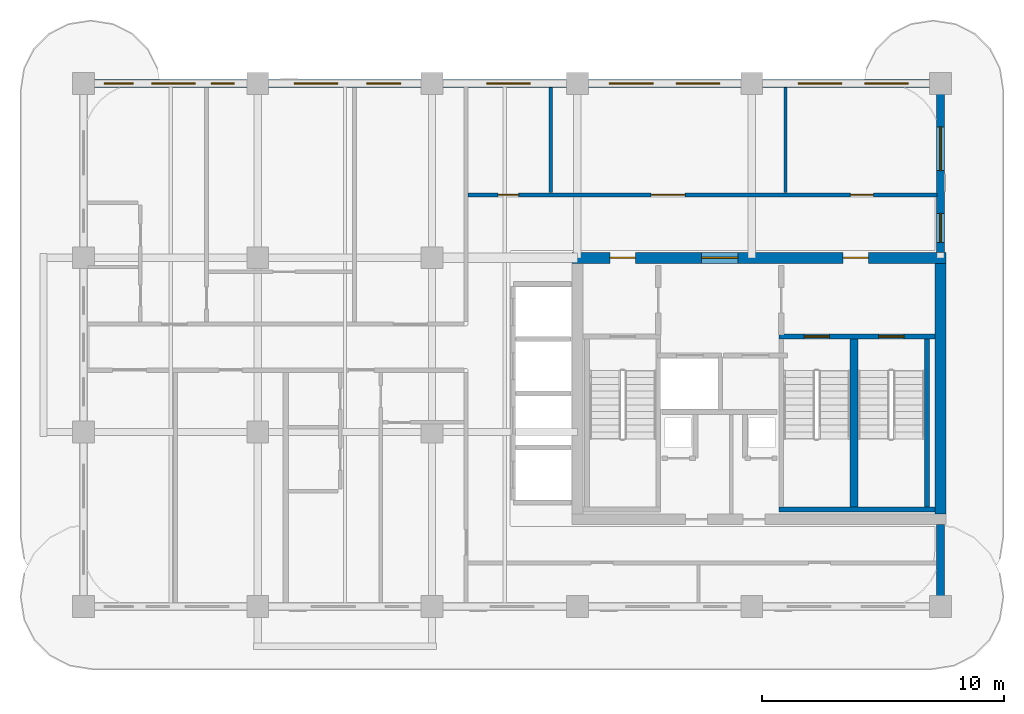
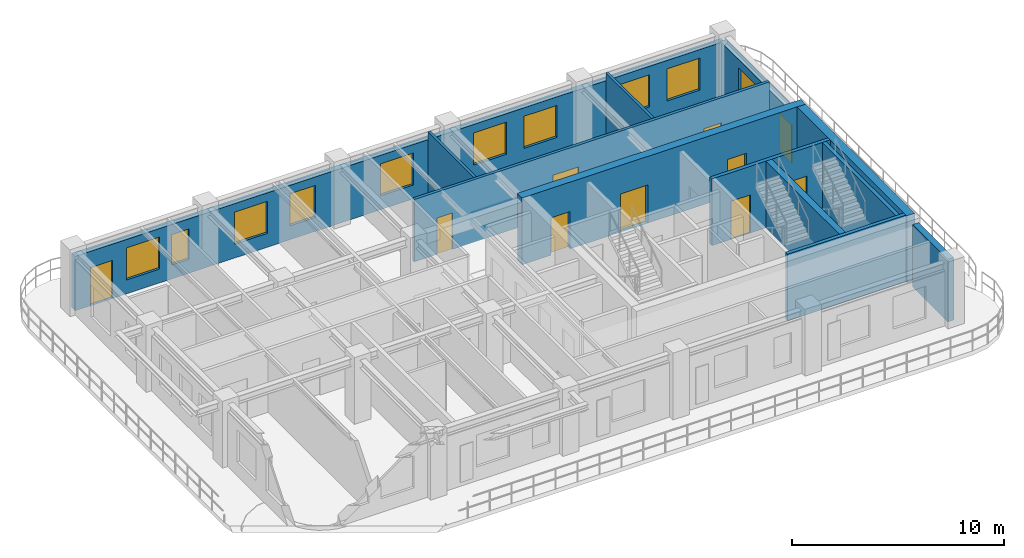
# One storey, part 5 of 8: 12 walls, 10 doors, 10 windows, 20 openings.
"""IFC4 building model written with IfcOpenShell, lengths in metres."""

from ifc_helpers import new_model, si_unit, derived_unit, direction, frame, frame_2d, origin, place, context, subcontext, project, spatial, rectangle, extrude, source, transform, mapped, material, layer, layer_set, type_object, type_shapes, element, fill, save


model = new_model("IFC4")

# Units and contexts
model_context = context("Model", 3, precision=1e-05, world=origin(), true_north=direction((0.0, 1.0)))
body_context = subcontext(model_context, "Body", "Model", "MODEL_VIEW")
ifc_project = project(units=[si_unit("LENGTHUNIT", "METRE"), si_unit("AREAUNIT", "SQUARE_METRE"), si_unit("VOLUMEUNIT", "CUBIC_METRE"), si_unit("PLANEANGLEUNIT", "RADIAN"), si_unit("MASSUNIT", "GRAM", prefix="KILO"), si_unit("THERMODYNAMICTEMPERATUREUNIT", "KELVIN"), si_unit("POWERUNIT", "WATT"), derived_unit("THERMALTRANSMITTANCEUNIT", [(si_unit("POWERUNIT", "WATT"), 1), (si_unit("AREAUNIT", "SQUARE_METRE"), -1), (si_unit("THERMODYNAMICTEMPERATUREUNIT", "KELVIN"), -1)])], contexts=[model_context])

# Site, building, storey
site_placement = place(None, origin())
site = spatial("IfcSite", under=ifc_project, at=site_placement, CompositionType="ELEMENT")
building_placement = place(site_placement, origin())
building = spatial("IfcBuilding", under=site, at=building_placement, Name="Zahravan Archway Hotel and Residences", CompositionType="ELEMENT")
storey_placement = place(building_placement, frame((0.0, 0.0, 225.0)))
storey = spatial("IfcBuildingStorey", under=building, at=storey_placement, Name="L56", CompositionType="ELEMENT", Elevation=225.0)

# Wall, openings, doors
ifc_material_1 = material(Name="Concrete C50/60", Category="concrete")
ifc_layer_1 = layer(ifc_material_1, 0.449951171875, Name="Concrete C50/60", Category="concrete")
ifc_layer_set_1 = layer_set([ifc_layer_1], Name="Concrete C50/60")
wall_type_1 = type_object("IfcWallType", Name="CW-CORE-450", PredefinedType="SHEAR", material=ifc_layer_set_1)
wall_1_placement = place(storey_placement, frame((34.574951171875, 14.39990234375, 0.0), z_axis=(0.0, 0.0, 1.0), x_axis=(1.0, 0.0, 0.0)))
wall_1 = element("IfcWall", 1, at=wall_1_placement, inside=storey, type_object=wall_type_1, Name="L56 Core A Shear N Wall 450 mm", PredefinedType="SHEAR", context=body_context, shape_type="SweptSolid", body=[
    extrude(rectangle(XDim=15.449951171875, YDim=0.449951171875, at=frame_2d((7.72509765625, 0.0))), origin(), (0.0, 0.0, 1.0), 3.85009765625),
])
opening_1_placement = place(wall_1_placement, frame((5.35498046875, 0.0, 0.0)))
opening_1 = element("IfcOpeningElement", 2, at=opening_1_placement, cuts=wall_1, Name="Opening FD-L1", PredefinedType="OPENING", context=body_context, shape_type="SweptSolid", body=[
    extrude(rectangle(XDim=1.5, YDim=2.199951171875, at=frame_2d((0.75, 1.10009765625))), frame((0.0, 0.23486328125, 0.0), z_axis=(0.0, -1.0, 0.0), x_axis=(1.0, 0.0, 0.0)), (0.0, 0.0, 1.0), 0.469970703125),
])
opening_2_placement = place(wall_1_placement, frame((1.570068359375, 0.0, 0.0)))
opening_2 = element("IfcOpeningElement", 3, at=opening_2_placement, cuts=wall_1, Name="Opening FD-L2", PredefinedType="OPENING", context=body_context, shape_type="SweptSolid", body=[
    extrude(rectangle(XDim=1.050048828125, YDim=2.14990234375, at=frame_2d((0.52490234375, 1.074951171875))), frame((0.0, 0.23486328125, 0.0), z_axis=(0.0, -1.0, 0.0), x_axis=(1.0, 0.0, 0.0)), (0.0, 0.0, 1.0), 0.469970703125),
])
opening_3_placement = place(wall_1_placement, frame((11.199951171875, 0.0, 0.0)))
opening_3 = element("IfcOpeningElement", 4, at=opening_3_placement, cuts=wall_1, Name="Opening FD-L2", PredefinedType="OPENING", context=body_context, shape_type="SweptSolid", body=[
    extrude(rectangle(XDim=1.050048828125, YDim=2.14990234375, at=frame_2d((0.52490234375, 1.074951171875))), frame((0.0, 0.23486328125, 0.0), z_axis=(0.0, -1.0, 0.0), x_axis=(1.0, 0.0, 0.0)), (0.0, 0.0, 1.0), 0.469970703125),
])
ifc_material_2 = material(Name="Fire-Rated Painted Steel", Category="steel")
door_type_1 = type_object("IfcDoorType", Name="FD-LOBBY-1100", OperationType="NOTDEFINED", PredefinedType="DOOR", material=ifc_material_2)
shared_shape_1 = source(origin(), body_context, "Body", "SweptSolid", [
    extrude(rectangle(XDim=1.050048828125, YDim=2.14990234375, at=frame_2d((0.52490234375, 1.074951171875))), frame((0.0, 0.02490234375, 0.0), z_axis=(0.0, -1.0, 0.0), x_axis=(1.0, 0.0, 0.0)), (0.0, 0.0, 1.0), 0.050048828125),
])
type_shapes(door_type_1, [shared_shape_1])
door_1_placement = place(opening_2_placement, origin())
door_1 = element("IfcDoor", 5, at=door_1_placement, inside=storey, type_object=door_type_1, Name="L56 Core A West Stair Lobby Door", OperationType="SINGLE_SWING_RIGHT", OverallHeight=2.14990234375, OverallWidth=1.050048828125, PredefinedType="DOOR", context=body_context, shape_type="MappedRepresentation", body=[
    mapped(shared_shape_1, transform((0.0, 0.0, 0.0), scale=1.0)),
])
fill(opening_2, door_1)
door_2_placement = place(opening_3_placement, origin())
door_2 = element("IfcDoor", 6, at=door_2_placement, inside=storey, type_object=door_type_1, Name="L56 Core A East Stair Lobby Door", OperationType="SINGLE_SWING_LEFT", OverallHeight=2.14990234375, OverallWidth=1.050048828125, PredefinedType="DOOR", context=body_context, shape_type="MappedRepresentation", body=[
    mapped(shared_shape_1, transform((0.0, 0.0, 0.0), scale=1.0)),
])
fill(opening_3, door_2)
door_type_2 = type_object("IfcDoorType", Name="FD-LOBBY-1500", OperationType="DOUBLE_DOOR_SINGLE_SWING", PredefinedType="DOOR", material=ifc_material_2)
shared_shape_2 = source(origin(), body_context, "Body", "SweptSolid", [
    extrude(rectangle(XDim=1.5, YDim=2.199951171875, at=frame_2d((0.75, 1.10009765625))), frame((0.0, 0.02490234375, 0.0), z_axis=(0.0, -1.0, 0.0), x_axis=(1.0, 0.0, 0.0)), (0.0, 0.0, 1.0), 0.050048828125),
])
type_shapes(door_type_2, [shared_shape_2])
door_3_placement = place(opening_1_placement, origin())
door_3 = element("IfcDoor", 7, at=door_3_placement, inside=storey, type_object=door_type_2, Name="L56 Core A FSAE Lobby Main Door", OperationType="DOUBLE_DOOR_SINGLE_SWING", OverallHeight=2.199951171875, OverallWidth=1.5, PredefinedType="DOOR", context=body_context, shape_type="MappedRepresentation", body=[
    mapped(shared_shape_2, transform((0.0, 0.0, 0.0), scale=1.0)),
])
fill(opening_1, door_3)

# Walls
wall_2_placement = place(storey_placement, frame((49.800048828125, 3.824951171875, 0.0), z_axis=(0.0, 0.0, 1.0), x_axis=(0.0, 1.0, 0.0)))
element("IfcWall", 8, at=wall_2_placement, inside=storey, type_object=wall_type_1, Name="L56 Core A Shear E Wall 450 mm", PredefinedType="SHEAR", context=body_context, shape_type="SweptSolid", body=[
    extrude(rectangle(XDim=10.35009765625, YDim=0.449951171875, at=frame_2d((5.175048828125, 0.0))), origin(), (0.0, 0.0, 1.0), 3.85009765625),
])
ifc_material_3 = material(Name="Agra Buff Sandstone & Insulated Backup", Category="masonry")
ifc_layer_2 = layer(ifc_material_3, 0.320068359375, Name="Agra Buff Sandstone & Insulated Backup", Category="masonry")
ifc_layer_set_2 = layer_set([ifc_layer_2], Name="Agra Buff Sandstone & Insulated Backup")
wall_type_2 = type_object("IfcWallType", Name="EW-SAND-320", PredefinedType="SOLIDWALL", material=ifc_layer_set_2)
wall_3_placement = place(storey_placement, frame((49.800048828125, 0.050048828125, 0.0), z_axis=(0.0, 0.0, 1.0), x_axis=(0.0, 1.0, 0.0)))
element("IfcWall", 9, at=wall_3_placement, inside=storey, type_object=wall_type_2, Name="L56 Exterior Sandstone Wall WA-ES", PredefinedType="SOLIDWALL", context=body_context, shape_type="SweptSolid", body=[
    extrude(rectangle(XDim=3.329833984375, YDim=0.320068359375, at=frame_2d((1.6650390625, 0.0))), origin(), (0.0, 0.0, 1.0), 3.60009765625),
])

# Wall, openings, door, window
wall_4_placement = place(storey_placement, frame((49.800048828125, 14.6201171875, 0.0), z_axis=(0.0, 0.0, 1.0), x_axis=(0.0, 1.0, 0.0)))
wall_4 = element("IfcWall", 10, at=wall_4_placement, inside=storey, type_object=wall_type_2, Name="L56 Exterior Sandstone Wall WA-EN", PredefinedType="SOLIDWALL", context=body_context, shape_type="SweptSolid", body=[
    extrude(rectangle(XDim=6.929931640625, YDim=0.320068359375, at=frame_2d((3.46484375, 0.0))), origin(), (0.0, 0.0, 1.0), 3.135009765625),
])
opening_4_placement = place(wall_4_placement, frame((0.419921875, 0.0, 0.0)))
opening_4 = element("IfcOpeningElement", 11, at=opening_4_placement, cuts=wall_4, Name="Opening ED-BL1", PredefinedType="OPENING", context=body_context, shape_type="SweptSolid", body=[
    extrude(rectangle(XDim=1.199951171875, YDim=2.199951171875, at=frame_2d((0.60009765625, 1.10009765625))), frame((0.0, 0.169921875, 0.0), z_axis=(0.0, -1.0, 0.0), x_axis=(1.0, 0.0, 0.0)), (0.0, 0.0, 1.0), 0.340087890625),
])
opening_5_placement = place(wall_4_placement, frame((3.384033203125, 0.0, 0.800048828125)))
opening_5 = element("IfcOpeningElement", 12, at=opening_5_placement, cuts=wall_4, Name="Opening W-02", PredefinedType="OPENING", context=body_context, shape_type="SweptSolid", body=[
    extrude(rectangle(XDim=1.800048828125, YDim=1.85009765625, at=frame_2d((0.89990234375, 0.925048828125))), frame((0.0, 0.169921875, 0.0), z_axis=(0.0, -1.0, 0.0), x_axis=(1.0, 0.0, 0.0)), (0.0, 0.0, 1.0), 0.340087890625),
])
ifc_material_4 = material(Name="Bronze-Anodized Glazed Aluminium", Category="aluminium")
door_type_3 = type_object("IfcDoorType", Name="ED-BALC-1200", OperationType="SLIDING_TO_LEFT", PredefinedType="DOOR", material=ifc_material_4)
shared_shape_3 = source(origin(), body_context, "Body", "SweptSolid", [
    extrude(rectangle(XDim=1.199951171875, YDim=2.199951171875, at=frame_2d((0.60009765625, 1.10009765625))), frame((0.0, 0.02490234375, 0.0), z_axis=(0.0, -1.0, 0.0), x_axis=(1.0, 0.0, 0.0)), (0.0, 0.0, 1.0), 0.050048828125),
])
type_shapes(door_type_3, [shared_shape_3])
door_4_placement = place(opening_4_placement, origin())
door_4 = element("IfcDoor", 13, at=door_4_placement, inside=storey, type_object=door_type_3, Name="L56 Outdoor Access Sliding Door (SLB-BAL-L56-EA)", OperationType="SLIDING_TO_LEFT", OverallHeight=2.199951171875, OverallWidth=1.199951171875, PredefinedType="DOOR", context=body_context, shape_type="MappedRepresentation", body=[
    mapped(shared_shape_3, transform((0.0, 0.0, 0.0), scale=1.0)),
])
fill(opening_4, door_4)
ifc_material_5 = material(Name="Bronze-Anodized Thermal-Break Aluminium & Low-E Glass", Category="aluminium")
window_type_1 = type_object("IfcWindowType", Name="WIN-TWR-1800", PartitioningType="DOUBLE_PANEL_VERTICAL", PredefinedType="WINDOW", material=ifc_material_5)
shared_shape_4 = source(origin(), body_context, "Body", "SweptSolid", [
    extrude(rectangle(XDim=1.800048828125, YDim=1.85009765625, at=frame_2d((0.89990234375, 0.925048828125))), frame((0.0, 0.030029296875, 0.0), z_axis=(0.0, -1.0, 0.0), x_axis=(1.0, 0.0, 0.0)), (0.0, 0.0, 1.0), 0.06005859375),
])
type_shapes(window_type_1, [shared_shape_4])
window_1_placement = place(opening_5_placement, origin())
window_1 = element("IfcWindow", 14, at=window_1_placement, inside=storey, type_object=window_type_1, Name="L56 Loggia Window 10", OverallHeight=1.85009765625, OverallWidth=1.800048828125, PartitioningType="DOUBLE_PANEL_VERTICAL", PredefinedType="WINDOW", context=body_context, shape_type="MappedRepresentation", body=[
    mapped(shared_shape_4, transform((0.0, 0.0, 0.0), scale=1.0)),
])
fill(opening_5, window_1)

# Wall, openings, door, windows
wall_5_placement = place(storey_placement, frame((14.39990234375, 21.60009765625, 0.0), z_axis=(0.0, 0.0, 1.0), x_axis=(1.0, 0.0, 0.0)))
wall_5 = element("IfcWall", 15, at=wall_5_placement, inside=storey, type_object=wall_type_2, Name="L56 Exterior Sandstone Wall WA-N", PredefinedType="SOLIDWALL", context=body_context, shape_type="SweptSolid", body=[
    extrude(rectangle(XDim=35.400146484375, YDim=0.320068359375, at=frame_2d((17.7001953125, 0.0))), origin(), (0.0, 0.0, 1.0), 3.135009765625),
])
opening_6_placement = place(wall_5_placement, frame((0.85009765625, 0.0, 0.0)))
opening_6 = element("IfcOpeningElement", 16, at=opening_6_placement, cuts=wall_5, Name="Opening ED-BL1", PredefinedType="OPENING", context=body_context, shape_type="SweptSolid", body=[
    extrude(rectangle(XDim=1.199951171875, YDim=2.199951171875, at=frame_2d((0.60009765625, 1.10009765625))), frame((0.0, 0.169921875, 0.0), z_axis=(0.0, -1.0, 0.0), x_axis=(1.0, 0.0, 0.0)), (0.0, 0.0, 1.0), 0.340087890625),
])
opening_7_placement = place(wall_5_placement, frame((2.81103515625, 0.0, 0.800048828125)))
opening_7 = element("IfcOpeningElement", 17, at=opening_7_placement, cuts=wall_5, Name="Opening W-02", PredefinedType="OPENING", context=body_context, shape_type="SweptSolid", body=[
    extrude(rectangle(XDim=1.800048828125, YDim=1.85009765625, at=frame_2d((0.89990234375, 0.925048828125))), frame((0.0, 0.169921875, 0.0), z_axis=(0.0, -1.0, 0.0), x_axis=(1.0, 0.0, 0.0)), (0.0, 0.0, 1.0), 0.340087890625),
])
opening_8_placement = place(wall_5_placement, frame((5.26904296875, 0.0, 0.800048828125)))
opening_8 = element("IfcOpeningElement", 18, at=opening_8_placement, cuts=wall_5, Name="Opening W-04", PredefinedType="OPENING", context=body_context, shape_type="SweptSolid", body=[
    extrude(rectangle(XDim=0.949951171875, YDim=1.75, at=frame_2d((0.47509765625, 0.875))), frame((0.0, 0.169921875, 0.0), z_axis=(0.0, -1.0, 0.0), x_axis=(1.0, 0.0, 0.0)), (0.0, 0.0, 1.0), 0.340087890625),
])
opening_9_placement = place(wall_5_placement, frame((8.696044921875, 0.0, 0.800048828125)))
opening_9 = element("IfcOpeningElement", 19, at=opening_9_placement, cuts=wall_5, Name="Opening W-02", PredefinedType="OPENING", context=body_context, shape_type="SweptSolid", body=[
    extrude(rectangle(XDim=1.800048828125, YDim=1.85009765625, at=frame_2d((0.89990234375, 0.925048828125))), frame((0.0, 0.169921875, 0.0), z_axis=(0.0, -1.0, 0.0), x_axis=(1.0, 0.0, 0.0)), (0.0, 0.0, 1.0), 0.340087890625),
])
opening_10_placement = place(wall_5_placement, frame((11.7041015625, 0.0, 0.800048828125)))
opening_10 = element("IfcOpeningElement", 20, at=opening_10_placement, cuts=wall_5, Name="Opening W-03", PredefinedType="OPENING", context=body_context, shape_type="SweptSolid", body=[
    extrude(rectangle(XDim=1.39990234375, YDim=1.85009765625, at=frame_2d((0.699951171875, 0.925048828125))), frame((0.0, 0.169921875, 0.0), z_axis=(0.0, -1.0, 0.0), x_axis=(1.0, 0.0, 0.0)), (0.0, 0.0, 1.0), 0.340087890625),
])
opening_11_placement = place(wall_5_placement, frame((16.65087890625, 0.0, 0.800048828125)))
opening_11 = element("IfcOpeningElement", 21, at=opening_11_placement, cuts=wall_5, Name="Opening W-02", PredefinedType="OPENING", context=body_context, shape_type="SweptSolid", body=[
    extrude(rectangle(XDim=1.800048828125, YDim=1.85009765625, at=frame_2d((0.89990234375, 0.925048828125))), frame((0.0, 0.169921875, 0.0), z_axis=(0.0, -1.0, 0.0), x_axis=(1.0, 0.0, 0.0)), (0.0, 0.0, 1.0), 0.340087890625),
])
opening_12_placement = place(wall_5_placement, frame((21.72509765625, 0.0, 0.800048828125)))
opening_12 = element("IfcOpeningElement", 22, at=opening_12_placement, cuts=wall_5, Name="Opening W-02", PredefinedType="OPENING", context=body_context, shape_type="SweptSolid", body=[
    extrude(rectangle(XDim=1.800048828125, YDim=1.85009765625, at=frame_2d((0.89990234375, 0.925048828125))), frame((0.0, 0.169921875, 0.0), z_axis=(0.0, -1.0, 0.0), x_axis=(1.0, 0.0, 0.0)), (0.0, 0.0, 1.0), 0.340087890625),
])
opening_13_placement = place(wall_5_placement, frame((24.47509765625, 0.0, 0.800048828125)))
opening_13 = element("IfcOpeningElement", 23, at=opening_13_placement, cuts=wall_5, Name="Opening W-02", PredefinedType="OPENING", context=body_context, shape_type="SweptSolid", body=[
    extrude(rectangle(XDim=1.800048828125, YDim=1.85009765625, at=frame_2d((0.89990234375, 0.925048828125))), frame((0.0, 0.169921875, 0.0), z_axis=(0.0, -1.0, 0.0), x_axis=(1.0, 0.0, 0.0)), (0.0, 0.0, 1.0), 0.340087890625),
])
opening_14_placement = place(wall_5_placement, frame((29.531005859375, 0.0, 0.800048828125)))
opening_14 = element("IfcOpeningElement", 24, at=opening_14_placement, cuts=wall_5, Name="Opening W-02", PredefinedType="OPENING", context=body_context, shape_type="SweptSolid", body=[
    extrude(rectangle(XDim=1.800048828125, YDim=1.85009765625, at=frame_2d((0.89990234375, 0.925048828125))), frame((0.0, 0.169921875, 0.0), z_axis=(0.0, -1.0, 0.0), x_axis=(1.0, 0.0, 0.0)), (0.0, 0.0, 1.0), 0.340087890625),
])
opening_15_placement = place(wall_5_placement, frame((32.277099609375, 0.0, 0.800048828125)))
opening_15 = element("IfcOpeningElement", 25, at=opening_15_placement, cuts=wall_5, Name="Opening W-02", PredefinedType="OPENING", context=body_context, shape_type="SweptSolid", body=[
    extrude(rectangle(XDim=1.800048828125, YDim=1.85009765625, at=frame_2d((0.89990234375, 0.925048828125))), frame((0.0, 0.169921875, 0.0), z_axis=(0.0, -1.0, 0.0), x_axis=(1.0, 0.0, 0.0)), (0.0, 0.0, 1.0), 0.340087890625),
])
door_5_placement = place(opening_6_placement, origin())
door_5 = element("IfcDoor", 26, at=door_5_placement, inside=storey, type_object=door_type_3, Name="L56 Outdoor Access Sliding Door (SLB-BAL-L56-WA)", OperationType="SLIDING_TO_LEFT", OverallHeight=2.199951171875, OverallWidth=1.199951171875, PredefinedType="DOOR", context=body_context, shape_type="MappedRepresentation", body=[
    mapped(shared_shape_3, transform((0.0, 0.0, 0.0), scale=1.0)),
])
fill(opening_6, door_5)
window_type_2 = type_object("IfcWindowType", Name="WIN-TWR-1400", PartitioningType="SINGLE_PANEL", PredefinedType="WINDOW", material=ifc_material_5)
shared_shape_5 = source(origin(), body_context, "Body", "SweptSolid", [
    extrude(rectangle(XDim=1.39990234375, YDim=1.85009765625, at=frame_2d((0.699951171875, 0.925048828125))), frame((0.0, 0.030029296875, 0.0), z_axis=(0.0, -1.0, 0.0), x_axis=(1.0, 0.0, 0.0)), (0.0, 0.0, 1.0), 0.06005859375),
])
type_shapes(window_type_2, [shared_shape_5])
window_2_placement = place(opening_10_placement, origin())
window_2 = element("IfcWindow", 27, at=window_2_placement, inside=storey, type_object=window_type_2, Name="L56 Loggia Window 14", OverallHeight=1.85009765625, OverallWidth=1.39990234375, PartitioningType="SINGLE_PANEL", PredefinedType="WINDOW", context=body_context, shape_type="MappedRepresentation", body=[
    mapped(shared_shape_5, transform((0.0, 0.0, 0.0), scale=1.0)),
])
fill(opening_10, window_2)
window_type_3 = type_object("IfcWindowType", Name="WIN-NAR-950", PartitioningType="SINGLE_PANEL", PredefinedType="WINDOW", material=ifc_material_5)
shared_shape_6 = source(origin(), body_context, "Body", "SweptSolid", [
    extrude(rectangle(XDim=0.949951171875, YDim=1.75, at=frame_2d((0.47509765625, 0.875))), frame((0.0, 0.030029296875, 0.0), z_axis=(0.0, -1.0, 0.0), x_axis=(1.0, 0.0, 0.0)), (0.0, 0.0, 1.0), 0.06005859375),
])
type_shapes(window_type_3, [shared_shape_6])
window_3_placement = place(opening_8_placement, origin())
window_3 = element("IfcWindow", 28, at=window_3_placement, inside=storey, type_object=window_type_3, Name="L56 Loggia Window 12", OverallHeight=1.75, OverallWidth=0.949951171875, PartitioningType="SINGLE_PANEL", PredefinedType="WINDOW", context=body_context, shape_type="MappedRepresentation", body=[
    mapped(shared_shape_6, transform((0.0, 0.0, 0.0), scale=1.0)),
])
fill(opening_8, window_3)
window_4_placement = place(opening_7_placement, origin())
window_4 = element("IfcWindow", 29, at=window_4_placement, inside=storey, type_object=window_type_1, Name="L56 Loggia Window 11", OverallHeight=1.85009765625, OverallWidth=1.800048828125, PartitioningType="DOUBLE_PANEL_VERTICAL", PredefinedType="WINDOW", context=body_context, shape_type="MappedRepresentation", body=[
    mapped(shared_shape_4, transform((0.0, 0.0, 0.0), scale=1.0)),
])
fill(opening_7, window_4)
window_5_placement = place(opening_9_placement, origin())
window_5 = element("IfcWindow", 30, at=window_5_placement, inside=storey, type_object=window_type_1, Name="L56 Loggia Window 13", OverallHeight=1.85009765625, OverallWidth=1.800048828125, PartitioningType="DOUBLE_PANEL_VERTICAL", PredefinedType="WINDOW", context=body_context, shape_type="MappedRepresentation", body=[
    mapped(shared_shape_4, transform((0.0, 0.0, 0.0), scale=1.0)),
])
fill(opening_9, window_5)
window_6_placement = place(opening_11_placement, origin())
window_6 = element("IfcWindow", 31, at=window_6_placement, inside=storey, type_object=window_type_1, Name="L56 Loggia Window 15", OverallHeight=1.85009765625, OverallWidth=1.800048828125, PartitioningType="DOUBLE_PANEL_VERTICAL", PredefinedType="WINDOW", context=body_context, shape_type="MappedRepresentation", body=[
    mapped(shared_shape_4, transform((0.0, 0.0, 0.0), scale=1.0)),
])
fill(opening_11, window_6)
window_7_placement = place(opening_12_placement, origin())
window_7 = element("IfcWindow", 32, at=window_7_placement, inside=storey, type_object=window_type_1, Name="L56 Loggia Window 16", OverallHeight=1.85009765625, OverallWidth=1.800048828125, PartitioningType="DOUBLE_PANEL_VERTICAL", PredefinedType="WINDOW", context=body_context, shape_type="MappedRepresentation", body=[
    mapped(shared_shape_4, transform((0.0, 0.0, 0.0), scale=1.0)),
])
fill(opening_12, window_7)
window_8_placement = place(opening_13_placement, origin())
window_8 = element("IfcWindow", 33, at=window_8_placement, inside=storey, type_object=window_type_1, Name="L56 Loggia Window 17", OverallHeight=1.85009765625, OverallWidth=1.800048828125, PartitioningType="DOUBLE_PANEL_VERTICAL", PredefinedType="WINDOW", context=body_context, shape_type="MappedRepresentation", body=[
    mapped(shared_shape_4, transform((0.0, 0.0, 0.0), scale=1.0)),
])
fill(opening_13, window_8)
window_9_placement = place(opening_14_placement, origin())
window_9 = element("IfcWindow", 34, at=window_9_placement, inside=storey, type_object=window_type_1, Name="L56 Loggia Window 18", OverallHeight=1.85009765625, OverallWidth=1.800048828125, PartitioningType="DOUBLE_PANEL_VERTICAL", PredefinedType="WINDOW", context=body_context, shape_type="MappedRepresentation", body=[
    mapped(shared_shape_4, transform((0.0, 0.0, 0.0), scale=1.0)),
])
fill(opening_14, window_9)
window_10_placement = place(opening_15_placement, origin())
window_10 = element("IfcWindow", 35, at=window_10_placement, inside=storey, type_object=window_type_1, Name="L56 Loggia Window 19", OverallHeight=1.85009765625, OverallWidth=1.800048828125, PartitioningType="DOUBLE_PANEL_VERTICAL", PredefinedType="WINDOW", context=body_context, shape_type="MappedRepresentation", body=[
    mapped(shared_shape_4, transform((0.0, 0.0, 0.0), scale=1.0)),
])
fill(opening_15, window_10)

# Wall, openings, doors
ifc_material_6 = material(Name="Fire-Rated Gypsum & Concrete Block", Category="concrete")
ifc_layer_3 = layer(ifc_material_6, 0.159912109375, Name="Fire-Rated Gypsum & Concrete Block", Category="concrete")
ifc_layer_set_3 = layer_set([ifc_layer_3], Name="Fire-Rated Gypsum & Concrete Block")
wall_type_3 = type_object("IfcWallType", Name="PW-CORR-160", PredefinedType="PARTITIONING", material=ifc_layer_set_3)
wall_6_placement = place(storey_placement, frame((30.2900390625, 17.0, 0.0), z_axis=(0.0, 0.0, 1.0), x_axis=(1.0, 0.0, 0.0)))
wall_6 = element("IfcWall", 36, at=wall_6_placement, inside=storey, type_object=wall_type_3, Name="L56 Partition WA-FN", PredefinedType="PARTITIONING", context=body_context, shape_type="SweptSolid", body=[
    extrude(rectangle(XDim=19.369873046875, YDim=0.159912109375, at=frame_2d((9.68505859375, 0.0))), origin(), (0.0, 0.0, 1.0), 3.60009765625),
])
opening_16_placement = place(wall_6_placement, frame((1.235107421875, 0.0, 0.0)))
opening_16 = element("IfcOpeningElement", 37, at=opening_16_placement, cuts=wall_6, Name="Opening D-B1", PredefinedType="OPENING", context=body_context, shape_type="SweptSolid", body=[
    extrude(rectangle(XDim=0.85009765625, YDim=2.10009765625, at=frame_2d((0.425048828125, 1.050048828125))), frame((0.0, 0.08984375, 0.0), z_axis=(0.0, -1.0, 0.0), x_axis=(1.0, 0.0, 0.0)), (0.0, 0.0, 1.0), 0.179931640625),
])
opening_17_placement = place(wall_6_placement, frame((7.56005859375, 0.0, 0.0)))
opening_17 = element("IfcOpeningElement", 38, at=opening_17_placement, cuts=wall_6, Name="Opening D-P1", PredefinedType="OPENING", context=body_context, shape_type="SweptSolid", body=[
    extrude(rectangle(XDim=1.39990234375, YDim=2.35009765625, at=frame_2d((0.699951171875, 1.175048828125))), frame((0.0, 0.08984375, 0.0), z_axis=(0.0, -1.0, 0.0), x_axis=(1.0, 0.0, 0.0)), (0.0, 0.0, 1.0), 0.179931640625),
])
opening_18_placement = place(wall_6_placement, frame((15.784912109375, 0.0, 0.0)))
opening_18 = element("IfcOpeningElement", 39, at=opening_18_placement, cuts=wall_6, Name="Opening D-I1", PredefinedType="OPENING", context=body_context, shape_type="SweptSolid", body=[
    extrude(rectangle(XDim=0.949951171875, YDim=2.14990234375, at=frame_2d((0.47509765625, 1.074951171875))), frame((0.0, 0.08984375, 0.0), z_axis=(0.0, -1.0, 0.0), x_axis=(1.0, 0.0, 0.0)), (0.0, 0.0, 1.0), 0.179931640625),
])
ifc_material_7 = material(Name="Hardwood Veneer Timber", Category="wood")
door_type_4 = type_object("IfcDoorType", Name="ID-BATH-850", OperationType="NOTDEFINED", PredefinedType="DOOR", material=ifc_material_7)
shared_shape_7 = source(origin(), body_context, "Body", "SweptSolid", [
    extrude(rectangle(XDim=0.85009765625, YDim=2.10009765625, at=frame_2d((0.425048828125, 1.050048828125))), frame((0.0, 0.02490234375, 0.0), z_axis=(0.0, -1.0, 0.0), x_axis=(1.0, 0.0, 0.0)), (0.0, 0.0, 1.0), 0.050048828125),
])
type_shapes(door_type_4, [shared_shape_7])
door_6_placement = place(opening_16_placement, origin())
door_6 = element("IfcDoor", 40, at=door_6_placement, inside=storey, type_object=door_type_4, Name="L56 Accessible WC Door", OperationType="SINGLE_SWING_LEFT", OverallHeight=2.10009765625, OverallWidth=0.85009765625, PredefinedType="DOOR", context=body_context, shape_type="MappedRepresentation", body=[
    mapped(shared_shape_7, transform((0.0, 0.0, 0.0), scale=1.0)),
])
fill(opening_16, door_6)
door_type_5 = type_object("IfcDoorType", Name="ID-PUBLIC-1400", OperationType="DOUBLE_DOOR_SINGLE_SWING", PredefinedType="DOOR", material=ifc_material_4)
shared_shape_8 = source(origin(), body_context, "Body", "SweptSolid", [
    extrude(rectangle(XDim=1.39990234375, YDim=2.35009765625, at=frame_2d((0.699951171875, 1.175048828125))), frame((0.0, 0.02490234375, 0.0), z_axis=(0.0, -1.0, 0.0), x_axis=(1.0, 0.0, 0.0)), (0.0, 0.0, 1.0), 0.050048828125),
])
type_shapes(door_type_5, [shared_shape_8])
door_7_placement = place(opening_17_placement, origin())
door_7 = element("IfcDoor", 41, at=door_7_placement, inside=storey, type_object=door_type_5, Name="L56 Private Dining Door", OperationType="DOUBLE_DOOR_SINGLE_SWING", OverallHeight=2.35009765625, OverallWidth=1.39990234375, PredefinedType="DOOR", context=body_context, shape_type="MappedRepresentation", body=[
    mapped(shared_shape_8, transform((0.0, 0.0, 0.0), scale=1.0)),
])
fill(opening_17, door_7)
door_type_6 = type_object("IfcDoorType", Name="ID-INT-950", OperationType="NOTDEFINED", PredefinedType="DOOR", material=ifc_material_7)
shared_shape_9 = source(origin(), body_context, "Body", "SweptSolid", [
    extrude(rectangle(XDim=0.949951171875, YDim=2.14990234375, at=frame_2d((0.47509765625, 1.074951171875))), frame((0.0, 0.02490234375, 0.0), z_axis=(0.0, -1.0, 0.0), x_axis=(1.0, 0.0, 0.0)), (0.0, 0.0, 1.0), 0.050048828125),
])
type_shapes(door_type_6, [shared_shape_9])
door_8_placement = place(opening_18_placement, origin())
door_8 = element("IfcDoor", 42, at=door_8_placement, inside=storey, type_object=door_type_6, Name="L56 Quiet Musalla Door", OperationType="SINGLE_SWING_RIGHT", OverallHeight=2.14990234375, OverallWidth=0.949951171875, PredefinedType="DOOR", context=body_context, shape_type="MappedRepresentation", body=[
    mapped(shared_shape_9, transform((0.0, 0.0, 0.0), scale=1.0)),
])
fill(opening_18, door_8)

# Walls
ifc_material_8 = material(Name="Moisture-Resistant Blockwork", Category="masonry")
ifc_layer_4 = layer(ifc_material_8, 0.139892578125, Name="Moisture-Resistant Blockwork", Category="masonry")
ifc_layer_set_4 = layer_set([ifc_layer_4], Name="Moisture-Resistant Blockwork")
wall_type_4 = type_object("IfcWallType", Name="PW-WET-140", PredefinedType="PARTITIONING", material=ifc_layer_set_4)
for number, where, z_axis, x_axis, name in (
    (43, (33.699951171875, 17.090087890625, 0.0), (0.0, 0.0, 1.0), (0.0, 1.0, 0.0), "L56 Partition NE3-1"),
    (44, (43.39990234375, 17.090087890625, 0.0), (0.0, 0.0, 1.0), (0.0, 1.0, 0.0), "L56 Partition NE3-2"),
):
    element("IfcWall", number, at=place(storey_placement, frame(where, z_axis=z_axis, x_axis=x_axis)), inside=storey, type_object=wall_type_4, Name=name, PredefinedType="PARTITIONING", context=body_context, shape_type="SweptSolid", body=[
        extrude(rectangle(XDim=4.341796875, YDim=0.139892578125, at=frame_2d((2.1708984375, 0.0))), origin(), (0.0, 0.0, 1.0), 3.60009765625),
    ])
ifc_layer_5 = layer(ifc_material_1, 0.199951171875, Name="Concrete C50/60", Category="concrete")
ifc_layer_set_5 = layer_set([ifc_layer_5], Name="Concrete C50/60")
wall_type_5 = type_object("IfcWallType", Name="SW-STAIR-200", PredefinedType="SHEAR", material=ifc_layer_set_5)
wall_7_placement = place(storey_placement, frame((43.1201171875, 4.0, 0.0), z_axis=(0.0, 0.0, 1.0), x_axis=(1.0, 0.0, 0.0)))
element("IfcWall", 45, at=wall_7_placement, inside=storey, type_object=wall_type_5, Name="L56 Stairwell RC Wall CA-SA23S", PredefinedType="SHEAR", context=body_context, shape_type="SweptSolid", body=[
    extrude(rectangle(XDim=6.454833984375, YDim=0.199951171875, at=frame_2d((3.2275390625, 0.0))), origin(), (0.0, 0.0, 1.0), 3.85009765625),
])
wall_8_placement = place(storey_placement, frame((49.239990234375, 4.10009765625, 0.0), z_axis=(0.0, 0.0, 1.0), x_axis=(0.0, 1.0, 0.0)))
element("IfcWall", 46, at=wall_8_placement, inside=storey, type_object=wall_type_5, Name="L56 Stairwell RC Wall CA-SA3E", PredefinedType="SHEAR", context=body_context, shape_type="SweptSolid", body=[
    extrude(rectangle(XDim=6.949951171875, YDim=0.199951171875, at=frame_2d((3.47509765625, 0.0))), origin(), (0.0, 0.0, 1.0), 3.85009765625),
])

# Wall, openings, doors
wall_9_placement = place(storey_placement, frame((43.1201171875, 11.14990234375, 0.0), z_axis=(0.0, 0.0, 1.0), x_axis=(1.0, 0.0, 0.0)))
wall_9 = element("IfcWall", 47, at=wall_9_placement, inside=storey, type_object=wall_type_5, Name="L56 Stairwell RC Wall CA-SA23N", PredefinedType="SHEAR", context=body_context, shape_type="SweptSolid", body=[
    extrude(rectangle(XDim=6.454833984375, YDim=0.199951171875, at=frame_2d((3.2275390625, 0.0))), origin(), (0.0, 0.0, 1.0), 3.85009765625),
])
opening_19_placement = place(wall_9_placement, frame((1.044921875, 0.0, 0.0)))
opening_19 = element("IfcOpeningElement", 48, at=opening_19_placement, cuts=wall_9, Name="Opening FD-S1", PredefinedType="OPENING", context=body_context, shape_type="SweptSolid", body=[
    extrude(rectangle(XDim=1.050048828125, YDim=2.199951171875, at=frame_2d((0.52490234375, 1.10009765625))), frame((0.0, 0.10986328125, 0.0), z_axis=(0.0, -1.0, 0.0), x_axis=(1.0, 0.0, 0.0)), (0.0, 0.0, 1.0), 0.219970703125),
])
opening_20_placement = place(wall_9_placement, frame((4.125, 0.0, 0.0)))
opening_20 = element("IfcOpeningElement", 49, at=opening_20_placement, cuts=wall_9, Name="Opening FD-S1", PredefinedType="OPENING", context=body_context, shape_type="SweptSolid", body=[
    extrude(rectangle(XDim=1.050048828125, YDim=2.199951171875, at=frame_2d((0.52490234375, 1.10009765625))), frame((0.0, 0.10986328125, 0.0), z_axis=(0.0, -1.0, 0.0), x_axis=(1.0, 0.0, 0.0)), (0.0, 0.0, 1.0), 0.219970703125),
])
door_type_7 = type_object("IfcDoorType", Name="FD-STAIR-1100", OperationType="NOTDEFINED", PredefinedType="DOOR", material=ifc_material_2)
shared_shape_10 = source(origin(), body_context, "Body", "SweptSolid", [
    extrude(rectangle(XDim=1.050048828125, YDim=2.199951171875, at=frame_2d((0.52490234375, 1.10009765625))), frame((0.0, 0.02490234375, 0.0), z_axis=(0.0, -1.0, 0.0), x_axis=(1.0, 0.0, 0.0)), (0.0, 0.0, 1.0), 0.050048828125),
])
type_shapes(door_type_7, [shared_shape_10])
door_9_placement = place(opening_19_placement, origin())
door_9 = element("IfcDoor", 50, at=door_9_placement, inside=storey, type_object=door_type_7, Name="L56 Stair ST-A2 Door", OperationType="SINGLE_SWING_RIGHT", OverallHeight=2.199951171875, OverallWidth=1.050048828125, PredefinedType="DOOR", context=body_context, shape_type="MappedRepresentation", body=[
    mapped(shared_shape_10, transform((0.0, 0.0, 0.0), scale=1.0)),
])
fill(opening_19, door_9)
door_10_placement = place(opening_20_placement, origin())
door_10 = element("IfcDoor", 51, at=door_10_placement, inside=storey, type_object=door_type_7, Name="L56 Stair ST-A3 Door", OperationType="SINGLE_SWING_LEFT", OverallHeight=2.199951171875, OverallWidth=1.050048828125, PredefinedType="DOOR", context=body_context, shape_type="MappedRepresentation", body=[
    mapped(shared_shape_10, transform((0.0, 0.0, 0.0), scale=1.0)),
])
fill(opening_20, door_10)

# Wall
ifc_layer_6 = layer(ifc_material_1, 0.340087890625, Name="Concrete C50/60", Category="concrete")
ifc_layer_set_6 = layer_set([ifc_layer_6], Name="Concrete C50/60")
wall_type_6 = type_object("IfcWallType", Name="SW-STAIR-340", PredefinedType="SHEAR", material=ifc_layer_set_6)
wall_10_placement = place(storey_placement, frame((46.22998046875, 4.10009765625, 0.0), z_axis=(0.0, 0.0, 1.0), x_axis=(0.0, 1.0, 0.0)))
element("IfcWall", 52, at=wall_10_placement, inside=storey, type_object=wall_type_6, Name="L56 Stairwell RC Wall CA-SA23M", PredefinedType="SHEAR", context=body_context, shape_type="SweptSolid", body=[
    extrude(rectangle(XDim=6.949951171875, YDim=0.340087890625, at=frame_2d((3.47509765625, 0.0))), origin(), (0.0, 0.0, 1.0), 3.85009765625),
])

save(model, "model.ifc")
